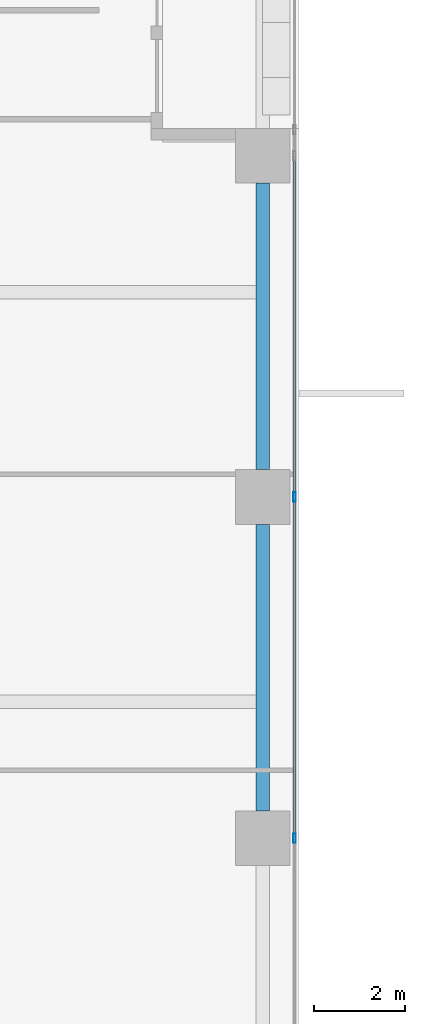
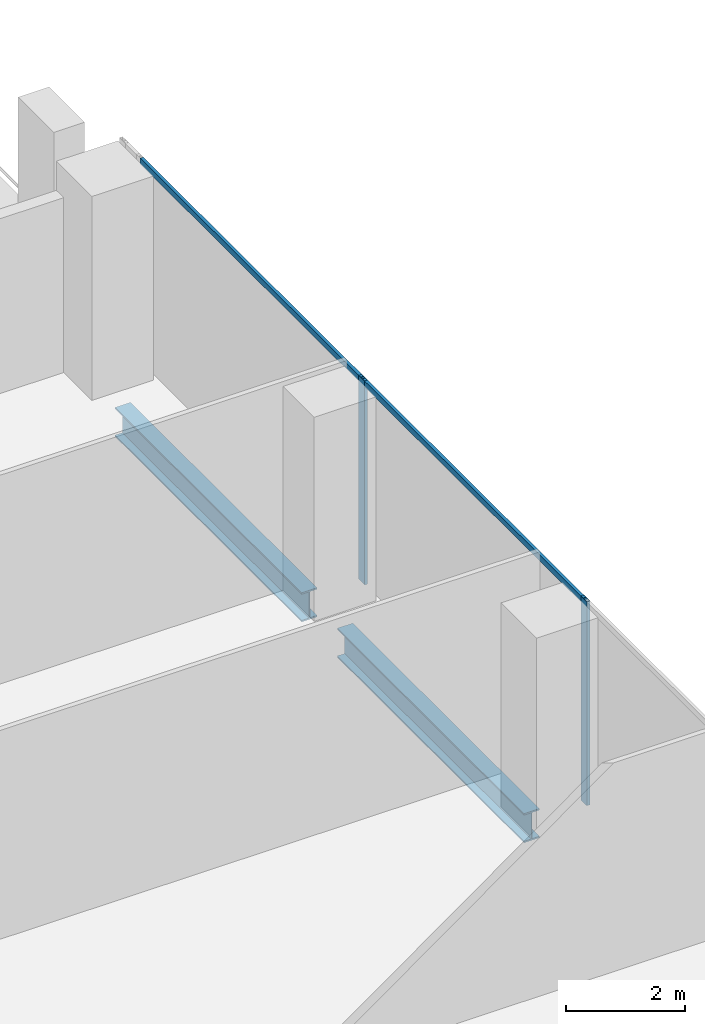
# One storey, part 11 of 32: 4 members, 2 beams, 1 element without a shape of its own.
"""IFC4 building model written with IfcOpenShell, lengths in metres."""

from ifc_helpers import new_model, si_unit, direction, frame, origin, origin_2d, place, context, subcontext, project, spatial, hollow_rectangle, i_section, extrude, source, transform, mapped, material, material_profile, profile_set, type_object, element, aggregate, save


model = new_model("IFC4")

# Units and contexts
model_context = context("Model", 3, precision=1e-05, world=origin(), true_north=direction((0.0, 1.0)))
body_context = subcontext(model_context, "Body", "Model", "MODEL_VIEW")
ifc_project = project(units=[si_unit("LENGTHUNIT", "METRE"), si_unit("AREAUNIT", "SQUARE_METRE"), si_unit("VOLUMEUNIT", "CUBIC_METRE"), si_unit("PLANEANGLEUNIT", "RADIAN"), si_unit("MASSUNIT", "GRAM", prefix="KILO")], contexts=[model_context])

# Site, building, storey
site_placement = place(None, origin())
site = spatial("IfcSite", under=ifc_project, at=site_placement, CompositionType="ELEMENT")
building_placement = place(site_placement, origin())
building = spatial("IfcBuilding", under=site, at=building_placement, Name="Khomas Fold Tower", CompositionType="ELEMENT")
storey_placement = place(building_placement, frame((0.0, 0.0, 64.5)))
storey = spatial("IfcBuildingStorey", under=building, at=storey_placement, Name="L13", CompositionType="ELEMENT", Elevation=64.5)

# Beams
ifc_material_1 = material(Name="Steel S355", Category="steel")
ifc_material_profile_1 = material_profile(ifc_material_1, i_section(OverallWidth=0.300048828125, OverallDepth=0.60009765625, WebThickness=0.015380859375, FlangeThickness=0.030029296875, at=origin_2d()), Name="HE 600 B")
ifc_profile_set_1 = profile_set([ifc_material_profile_1], Name="Steel S355")
beam_type = type_object("IfcBeamType", Name="HE 600 B spandrel SB1", PredefinedType="SPANDREL", material=ifc_profile_set_1)
shared_shape_1 = source(origin(), body_context, "Body", "SweptSolid", [
    extrude(i_section(OverallWidth=0.300048828125, OverallDepth=0.60009765625, WebThickness=0.015380859375, FlangeThickness=0.030029296875, at=origin_2d()), origin(), (0.0, 0.0, 1.0), 6.2998046875),
])
for number, where, z_axis, x_axis, name in (
    (1, (53.199951171875, 20.10009765625, -0.60009765625), (0.0, 1.0, 0.0), (-1.0, 0.0, 0.0), "SB1"),
    (2, (53.199951171875, 27.60009765625, -0.60009765625), (0.0, 1.0, 0.0), (-1.0, 0.0, 0.0), "SB1"),
):
    element("IfcBeam", number, at=place(storey_placement, frame(where, z_axis=z_axis, x_axis=x_axis)), inside=storey, type_object=beam_type, Name=name, PredefinedType="SPANDREL", context=body_context, shape_type="MappedRepresentation", body=[
        mapped(shared_shape_1, transform((0.0, 0.0, 0.0))),
    ])

# Curtain wall, members
ifc_material_2 = material(Name="Aluminium framed double glazing", Category="aluminium")
curtain_wall_type = type_object("IfcCurtainWallType", Name="SK-Unitised clear-glass wall, growing floors CW1", PredefinedType="NOTDEFINED", material=ifc_material_2)
curtain_wall_placement = place(storey_placement, origin())
curtain_wall = element("IfcCurtainWall", 3, at=curtain_wall_placement, inside=storey, type_object=curtain_wall_type, Name="CW1 run L13 03-0", PredefinedType="NOTDEFINED")
ifc_material_3 = material(Name="Aluminium", Category="aluminium")
ifc_material_profile_2 = material_profile(ifc_material_3, hollow_rectangle(XDim=0.06005859375, YDim=0.1201171875, WallThickness=0.00390625, at=origin_2d()), Name="SK-Unitised clear-glass wall, growing floors transom CW1-T")
ifc_profile_set_2 = profile_set([ifc_material_profile_2], Name="Aluminium")
member_type_1 = type_object("IfcMemberType", Name="SK-Unitised clear-glass wall, growing floors transom CW1-T", PredefinedType="USERDEFINED", material=ifc_profile_set_2)
shared_shape_2 = source(origin(), body_context, "Body", "SweptSolid", [
    extrude(hollow_rectangle(XDim=0.06005859375, YDim=0.1201171875, WallThickness=0.00390625, at=origin_2d()), origin(), (0.0, 0.0, 1.0), 7.43994140625),
])
member_1_placement = place(storey_placement, frame((53.89990234375, 19.530029296875, 4.139892578125), z_axis=(0.0, 1.0, 0.0), x_axis=(-1.0, 0.0, 0.0)))
member_1 = element("IfcMember", 4, at=member_1_placement, type_object=member_type_1, Name="CW1 transom 4", ObjectType="TRANSOM", PredefinedType="USERDEFINED", context=body_context, shape_type="MappedRepresentation", body=[
    mapped(shared_shape_2, transform((0.0, 0.0, 0.0))),
])
member_2_placement = place(storey_placement, frame((53.89990234375, 27.030029296875, 4.139892578125), z_axis=(0.0, 1.0, 0.0), x_axis=(-1.0, 0.0, 0.0)))
member_2 = element("IfcMember", 5, at=member_2_placement, type_object=member_type_1, Name="CW1 transom 5", ObjectType="TRANSOM", PredefinedType="USERDEFINED", context=body_context, shape_type="MappedRepresentation", body=[
    mapped(shared_shape_2, transform((0.0, 0.0, 0.0))),
])
ifc_material_4 = material(Name="Aluminium", Category="aluminium")
ifc_material_profile_3 = material_profile(ifc_material_4, hollow_rectangle(XDim=0.06005859375, YDim=0.199951171875, WallThickness=0.00390625, at=origin_2d()), Name="SK-Unitised clear-glass wall, growing floors mullion CW1-M")
ifc_profile_set_3 = profile_set([ifc_material_profile_3], Name="Aluminium")
member_type_2 = type_object("IfcMemberType", Name="SK-Unitised clear-glass wall, growing floors mullion CW1-M", PredefinedType="MULLION", material=ifc_profile_set_3)
shared_shape_3 = source(origin(), body_context, "Body", "SweptSolid", [
    extrude(hollow_rectangle(XDim=0.06005859375, YDim=0.199951171875, WallThickness=0.00390625, at=origin_2d()), origin(), (0.0, 0.0, 1.0), 4.199951171875),
])
member_3_placement = place(storey_placement, frame((53.89990234375, 19.5, 0.0), z_axis=(0.0, 0.0, 1.0), x_axis=(-1.0, 0.0, 0.0)))
member_3 = element("IfcMember", 6, at=member_3_placement, type_object=member_type_2, Name="CW1 mullion 4", PredefinedType="MULLION", context=body_context, shape_type="MappedRepresentation", body=[
    mapped(shared_shape_3, transform((0.0, 0.0, 0.0))),
])
member_4_placement = place(storey_placement, frame((53.89990234375, 27.0, 0.0), z_axis=(0.0, 0.0, 1.0), x_axis=(-1.0, 0.0, 0.0)))
member_4 = element("IfcMember", 7, at=member_4_placement, type_object=member_type_2, Name="CW1 mullion 5", PredefinedType="MULLION", context=body_context, shape_type="MappedRepresentation", body=[
    mapped(shared_shape_3, transform((0.0, 0.0, 0.0))),
])
aggregate(curtain_wall, [member_3, member_4, member_1, member_2])

save(model, "model.ifc")
